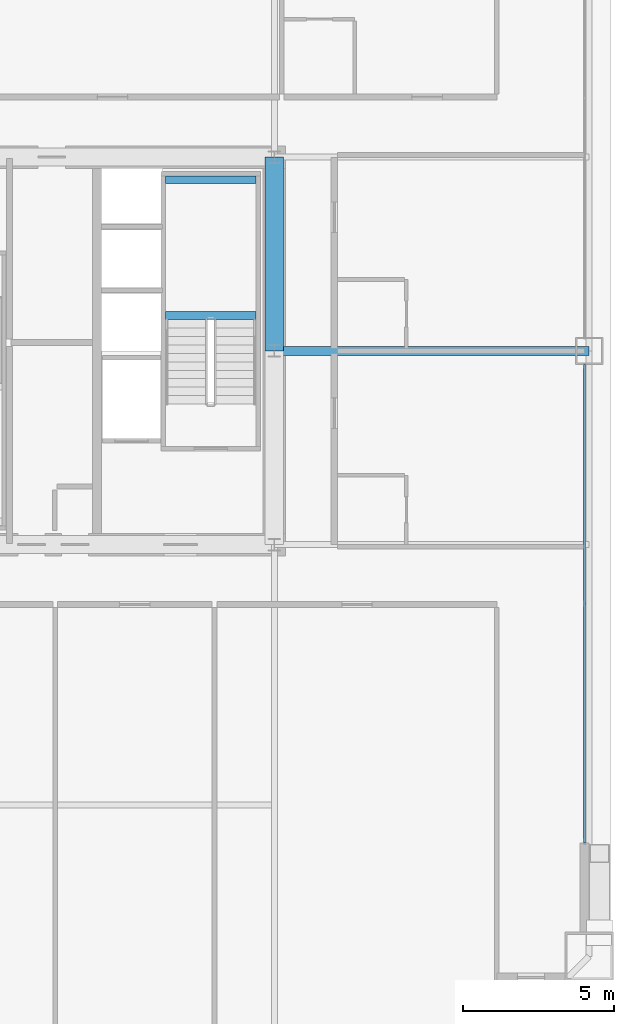
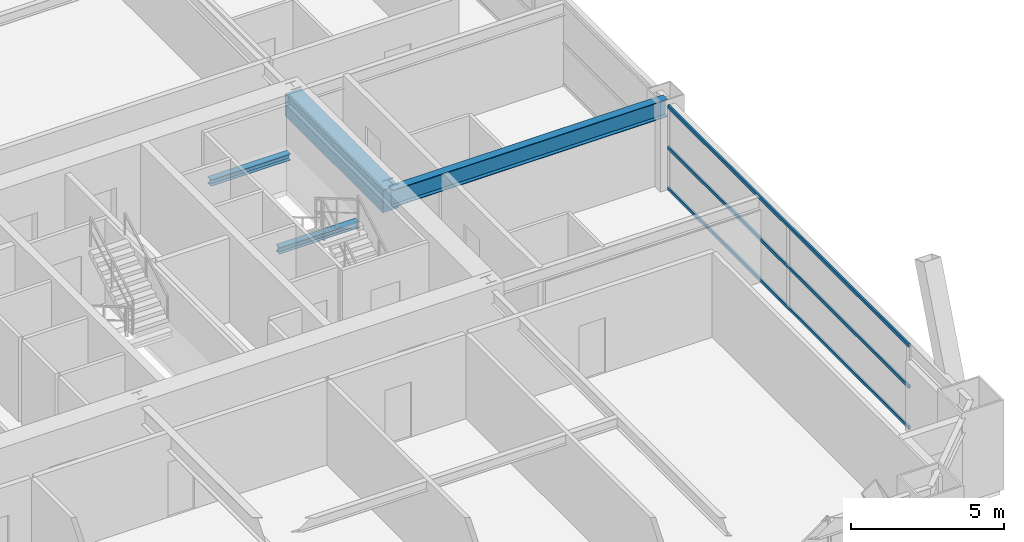
# One storey, part 22 of 43: 4 beams, 3 members, 1 element without a shape of its own.
"""IFC4 building model written with IfcOpenShell, lengths in metres."""

from ifc_helpers import new_model, si_unit, direction, frame, origin, origin_2d, place, context, subcontext, project, spatial, rectangle, hollow_rectangle, i_section, extrude, source, transform, mapped, material, layer, layer_set, material_profile, profile_set, type_object, element, aggregate, save


model = new_model("IFC4")

# Units and contexts
model_context = context("Model", 3, precision=1e-05, world=origin(), true_north=direction((0.0, 1.0)))
body_context = subcontext(model_context, "Body", "Model", "MODEL_VIEW")
ifc_project = project(units=[si_unit("LENGTHUNIT", "METRE"), si_unit("AREAUNIT", "SQUARE_METRE"), si_unit("VOLUMEUNIT", "CUBIC_METRE"), si_unit("PLANEANGLEUNIT", "RADIAN"), si_unit("MASSUNIT", "GRAM", prefix="KILO"), si_unit("THERMODYNAMICTEMPERATUREUNIT", "KELVIN"), si_unit("POWERUNIT", "WATT")], contexts=[model_context])

# Site, building, storey
site_placement = place(None, origin())
site = spatial("IfcSite", under=ifc_project, at=site_placement, CompositionType="ELEMENT")
building_placement = place(site_placement, origin())
building = spatial("IfcBuilding", under=site, at=building_placement, Name="Yuzanri Waterfront Tower", CompositionType="ELEMENT")
storey_placement = place(building_placement, frame((0.0, 0.0, 138.0)))
storey = spatial("IfcBuildingStorey", under=building, at=storey_placement, Name="L36", CompositionType="ELEMENT", Elevation=138.0)

# Beams
ifc_material_1 = material(Name="Concrete C60", Category="concrete")
ifc_material_profile_1 = material_profile(ifc_material_1, rectangle(XDim=0.60009765625, YDim=0.89990234375, at=origin_2d()), Name="RC 600x900")
ifc_profile_set_1 = profile_set([ifc_material_profile_1], Name="Concrete C60")
beam_type_1 = type_object("IfcBeamType", Name="Core Coupling Lintel Concrete C60 600x900", PredefinedType="LINTEL", material=ifc_profile_set_1)
shared_shape_1 = source(origin(), body_context, "Body", "SweptSolid", [
    extrude(rectangle(XDim=0.60009765625, YDim=0.89990234375, at=origin_2d()), origin(), (0.0, 0.0, 1.0), 6.39990234375),
])
beam_1_placement = place(storey_placement, frame((50.199951171875, 25.800048828125, 2.929931640625), z_axis=(0.0, 1.0, 0.0), x_axis=(-1.0, 0.0, 0.0)))
element("IfcBeam", 1, at=beam_1_placement, inside=storey, type_object=beam_type_1, Name="L36 Core Tie Beam CE2", PredefinedType="LINTEL", context=body_context, shape_type="MappedRepresentation", body=[
    mapped(shared_shape_1, transform((0.0, 0.0, 0.0), scale=1.0)),
])
ifc_material_2 = material(Name="Steel Q355B", Category="steel")
ifc_material_profile_2 = material_profile(ifc_material_2, i_section(OverallWidth=0.300048828125, OverallDepth=0.699951171875, WebThickness=0.012939453125, FlangeThickness=0.02392578125, at=origin_2d()), Name="HN 700x300x13x24")
ifc_profile_set_2 = profile_set([ifc_material_profile_2], Name="Steel Q355B")
beam_type_2 = type_object("IfcBeamType", Name="Primary Floor Girder Q355B HN 700x300", PredefinedType="BEAM", material=ifc_profile_set_2)
shared_shape_2 = source(origin(), body_context, "Body", "SweptSolid", [
    extrude(i_section(OverallWidth=0.300048828125, OverallDepth=0.699951171875, WebThickness=0.012939453125, FlangeThickness=0.02392578125, at=origin_2d()), origin(), (0.0, 0.0, 1.0), 10.400146484375),
])
beam_2_placement = place(storey_placement, frame((50.199951171875, 25.800048828125, 3.030029296875), z_axis=(1.0, 0.0, 0.0), x_axis=(0.0, 1.0, 0.0)))
element("IfcBeam", 2, at=beam_2_placement, inside=storey, type_object=beam_type_2, Name="L36 East Grid Girder", PredefinedType="BEAM", context=body_context, shape_type="MappedRepresentation", body=[
    mapped(shared_shape_2, transform((0.0, 0.0, 0.0), scale=1.0)),
])

# Curtain wall, members
ifc_material_3 = material(Name="Anodized Architectural Bronze", Category="metal")
ifc_layer = layer(ifc_material_3, 0.159912109375)
ifc_layer_set = layer_set([ifc_layer], Name="Anodized Architectural Bronze")
curtain_wall_type = type_object("IfcCurtainWallType", Name="Anodized Bronze Hotel Upper-Tier Solar-Control Unitized Curtain Wall 7800", PredefinedType="NOTDEFINED", material=ifc_layer_set)
curtain_wall_placement = place(storey_placement, origin())
curtain_wall = element("IfcCurtainWall", 3, at=curtain_wall_placement, inside=storey, type_object=curtain_wall_type, Name="L36 Curtain Wall CW-L36-EL", PredefinedType="NOTDEFINED")
ifc_material_4 = material(Name="Anodized Architectural Bronze", Category="metal")
ifc_material_profile_3 = material_profile(ifc_material_4, hollow_rectangle(XDim=0.070068359375, YDim=0.135009765625, WallThickness=0.00341796875, at=origin_2d()), Name="CWT 70x135")
ifc_profile_set_3 = profile_set([ifc_material_profile_3], Name="Anodized Architectural Bronze")
member_type = type_object("IfcMemberType", Name="Anodized Bronze Standard Curtain-Wall Transom 70x135", PredefinedType="USERDEFINED", material=ifc_profile_set_3)
shared_shape_3 = source(origin(), body_context, "Body", "SweptSolid", [
    extrude(hollow_rectangle(XDim=0.070068359375, YDim=0.135009765625, WallThickness=0.00341796875, at=origin_2d()), origin(), (0.0, 0.0, 1.0), 15.800048828125),
])
member_1_placement = place(storey_placement, frame((60.449951171875, 9.550048828125, 0.050048828125), z_axis=(0.0, 1.0, 0.0), x_axis=(-1.0, 0.0, 0.0)))
member_1 = element("IfcMember", 4, at=member_1_placement, type_object=member_type, Name="CW-L36-EL Transom 1", ObjectType="TRANSOM", PredefinedType="USERDEFINED", context=body_context, shape_type="MappedRepresentation", body=[
    mapped(shared_shape_3, transform((0.0, 0.0, 0.0), scale=1.0)),
])
member_2_placement = place(storey_placement, frame((60.449951171875, 9.550048828125, 1.68994140625), z_axis=(0.0, 1.0, 0.0), x_axis=(-1.0, 0.0, 0.0)))
member_2 = element("IfcMember", 5, at=member_2_placement, type_object=member_type, Name="CW-L36-EL Transom 2", ObjectType="TRANSOM", PredefinedType="USERDEFINED", context=body_context, shape_type="MappedRepresentation", body=[
    mapped(shared_shape_3, transform((0.0, 0.0, 0.0), scale=1.0)),
])
member_3_placement = place(storey_placement, frame((60.449951171875, 9.550048828125, 3.330078125), z_axis=(0.0, 1.0, 0.0), x_axis=(-1.0, 0.0, 0.0)))
member_3 = element("IfcMember", 6, at=member_3_placement, type_object=member_type, Name="CW-L36-EL Transom 3", ObjectType="TRANSOM", PredefinedType="USERDEFINED", context=body_context, shape_type="MappedRepresentation", body=[
    mapped(shared_shape_3, transform((0.0, 0.0, 0.0), scale=1.0)),
])
aggregate(curtain_wall, [member_1, member_2, member_3])

# Beams
ifc_material_5 = material(Name="Steel Q355B", Category="steel")
ifc_material_profile_4 = material_profile(ifc_material_5, i_section(OverallWidth=0.25, OverallDepth=0.25, WebThickness=0.009033203125, FlangeThickness=0.013916015625, at=origin_2d()), Name="HW 250x250x9x14")
ifc_profile_set_4 = profile_set([ifc_material_profile_4], Name="Steel Q355B")
beam_type_3 = type_object("IfcBeamType", Name="Stair Landing Support Beam Q355B HW 250x250", PredefinedType="BEAM", material=ifc_profile_set_4)
shared_shape_4 = source(origin(), body_context, "Body", "SweptSolid", [
    extrude(i_section(OverallWidth=0.25, OverallDepth=0.25, WebThickness=0.009033203125, FlangeThickness=0.013916015625, at=origin_2d()), origin(), (0.0, 0.0, 1.0), 3.0),
])
for number, where, z_axis, x_axis, name in (
    (7, (46.60009765625, 26.969970703125, 1.47509765625), (1.0, 0.0, 0.0), (0.0, 1.0, 0.0), "L36 Stair Landing Support Beam ST-02-L36-L1-1"),
    (8, (46.60009765625, 31.449951171875, 1.47509765625), (1.0, 0.0, 0.0), (0.0, 1.0, 0.0), "L36 Stair Landing Support Beam ST-02-L36-L1-2"),
):
    element("IfcBeam", number, at=place(storey_placement, frame(where, z_axis=z_axis, x_axis=x_axis)), inside=storey, type_object=beam_type_3, Name=name, PredefinedType="BEAM", context=body_context, shape_type="MappedRepresentation", body=[
        mapped(shared_shape_4, transform((0.0, 0.0, 0.0), scale=1.0)),
    ])

save(model, "model.ifc")
